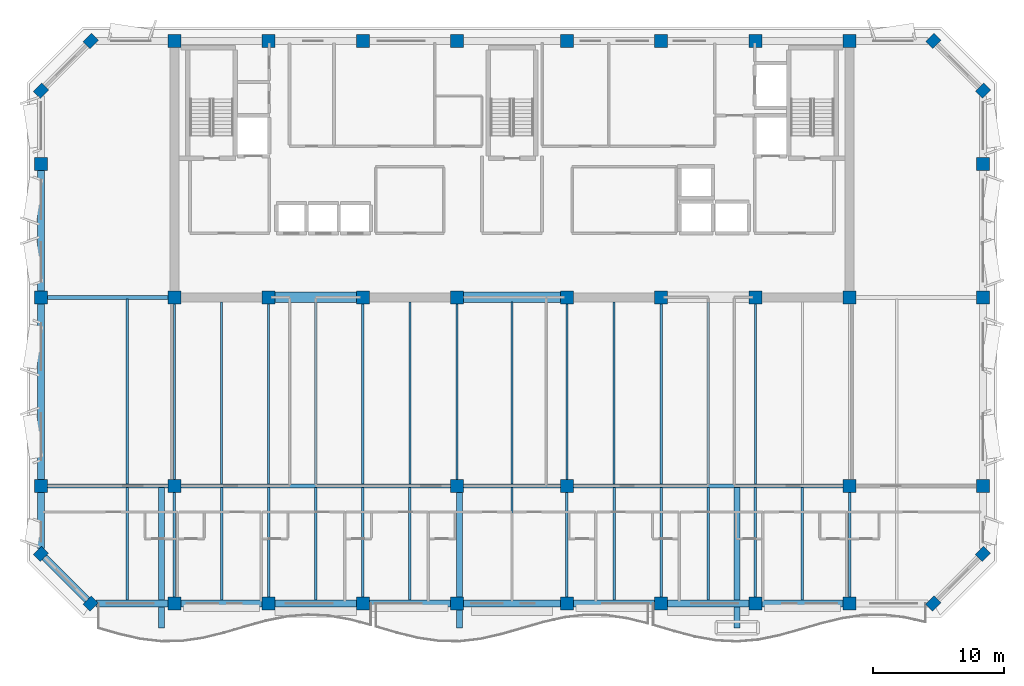
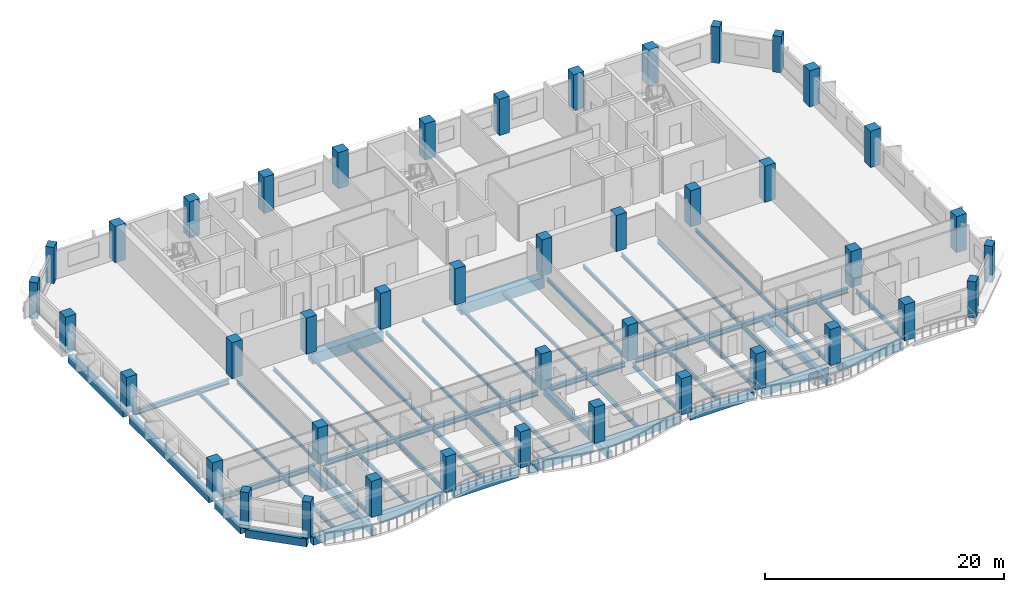
# One storey, part 1 of 11: 51 beams, 42 columns.
"""IFC4 building model written with IfcOpenShell, lengths in metres."""

import ifcopenshell
import ifcopenshell.guid

model = None  # the IFC model being written
_history = None  # IfcOwnerHistory: only IFC2X3 demands one
_inside = {}  # id of a spatial element -> (the spatial element, [elements in it])
_under = {}  # id of a project, library or spatial element -> (it, [spatial elements below it])
_declared = {}  # id of a project -> (the project, [libraries it declares])
_typed = {}  # id of a type object -> (the type object, [elements of that type])
_made_of = {}  # id of a material, layer set ... -> (it, [elements and type objects made of it])


def new_model(schema):
    """Start an empty IFC model of exactly this schema.

    Asked for "IFC4X3", IfcOpenShell would pick the latest addendum, in which some entities
    have other attributes; the version numbers below select the first issue.
    IFC2X3 requires an IfcOwnerHistory on every rooted entity: one is made here for all.
    """
    global model, _history
    if schema == "IFC4X3":
        model = ifcopenshell.file(schema_version=(4, 3, 0, 0))
    else:
        model = ifcopenshell.file(schema=schema)
    _inside.clear()
    _under.clear()
    _declared.clear()
    _typed.clear()
    _made_of.clear()
    _history = None
    if model.schema == "IFC2X3":
        org = make("IfcOrganization", Name="unknown")
        user = make(
            "IfcPersonAndOrganization",
            ThePerson=make("IfcPerson", FamilyName="unknown"),
            TheOrganization=org,
        )
        app = make(
            "IfcApplication",
            ApplicationDeveloper=org,
            Version="unknown",
            ApplicationFullName="unknown",
            ApplicationIdentifier="unknown",
        )
        _history = make(
            "IfcOwnerHistory",
            OwningUser=user,
            OwningApplication=app,
            ChangeAction="ADDED",
            CreationDate=0,
        )
    return model


def make(cls, **values):
    """One entity of the class cls with the attributes given. An attribute that is None is left unset."""
    return model.create_entity(
        cls, **{name: value for name, value in values.items() if value is not None}
    )


def rooted(cls, **values):
    """An entity with a GlobalId (a new one), such as an element, a storey or a relation."""
    return make(cls, GlobalId=ifcopenshell.guid.new(), OwnerHistory=_history, **values)


def si_unit(unit_type, name, prefix=None):
    """IfcSIUnit, for example si_unit("LENGTHUNIT", "METRE", prefix="MILLI")."""
    return make("IfcSIUnit", UnitType=unit_type, Prefix=prefix, Name=name)


def assignment(units):
    """IfcUnitAssignment: the units of a project."""
    return None if units is None else make("IfcUnitAssignment", Units=units)


def point(xyz):
    """IfcCartesianPoint."""
    return None if xyz is None else make("IfcCartesianPoint", Coordinates=xyz)


def direction(xyz):
    """IfcDirection."""
    return None if xyz is None else make("IfcDirection", DirectionRatios=xyz)


def frame(location, z_axis=None, x_axis=None):
    """IfcAxis2Placement3D, a coordinate frame: its origin and axes. An axis left out is left unset."""
    return make(
        "IfcAxis2Placement3D",
        Location=point(location),
        Axis=direction(z_axis),
        RefDirection=direction(x_axis),
    )


def frame_2d(location, x_axis=None):
    """IfcAxis2Placement2D, a coordinate frame in the plane: its origin and x axis."""
    return make(
        "IfcAxis2Placement2D", Location=point(location), RefDirection=direction(x_axis)
    )


def origin():
    """The frame at (0, 0, 0) with its axes left unset."""
    return frame((0.0, 0.0, 0.0))


def origin_2d():
    """The frame at (0, 0) in the plane with its x axis left unset."""
    return frame_2d((0.0, 0.0))


def place(relative_to, where):
    """IfcLocalPlacement: puts the frame where relative to a parent placement (None: the world)."""
    return make(
        "IfcLocalPlacement", PlacementRelTo=relative_to, RelativePlacement=where
    )


def context(
    kind, dimensions, precision=None, world=None, true_north=None, identifier=None
):
    """IfcGeometricRepresentationContext, for example the 3D "Model" context."""
    return make(
        "IfcGeometricRepresentationContext",
        ContextIdentifier=identifier,
        ContextType=kind,
        CoordinateSpaceDimension=dimensions,
        Precision=precision,
        WorldCoordinateSystem=world,
        TrueNorth=true_north,
    )


def subcontext(parent, identifier, kind, view, scale=None):
    """IfcGeometricRepresentationSubContext, for example "Body" below "Model"."""
    return make(
        "IfcGeometricRepresentationSubContext",
        ContextIdentifier=identifier,
        ContextType=kind,
        ParentContext=parent,
        TargetScale=scale,
        TargetView=view,
    )


def project(units=None, contexts=None):
    """IfcProject with its units and contexts."""
    return rooted(
        "IfcProject",
        Name="project",
        RepresentationContexts=contexts,
        UnitsInContext=assignment(units),
    )


def spatial(cls, under=None, at=None, **own):
    """A site, building, storey or space (cls), placed at a placement, below another one or the project."""
    s = rooted(cls, ObjectPlacement=at, **own)
    if under is not None:
        _under.setdefault(under.id(), (under, []))[1].append(s)
    return s


def profile(cls, at=None, kind="AREA", **sizes):
    """A parametric profile (cls). Its sizes go by their IFC names, for example OverallWidth=200.0."""
    return make(cls, ProfileType=kind, Position=at, **sizes)


def rectangle(**sizes):
    """IfcRectangleProfileDef."""
    return profile("IfcRectangleProfileDef", **sizes)


def i_section(**sizes):
    """IfcIShapeProfileDef."""
    return profile("IfcIShapeProfileDef", **sizes)


def extrude(swept, where, along, depth):
    """IfcExtrudedAreaSolid: the profile swept, set in the frame where, extruded along a direction by depth."""
    return make(
        "IfcExtrudedAreaSolid",
        SweptArea=swept,
        Position=where,
        ExtrudedDirection=direction(along),
        Depth=depth,
    )


def shape(context_of_items, identifier, shape_type, items):
    """IfcShapeRepresentation: the items that make up one representation, for example the "Body"."""
    return make(
        "IfcShapeRepresentation",
        ContextOfItems=context_of_items,
        RepresentationIdentifier=identifier,
        RepresentationType=shape_type,
        Items=items,
    )


def material(Name=None, Category=None):
    """IfcMaterial."""
    return make("IfcMaterial", Name=Name, Category=Category)


def material_profile(
    of_material, cross_section, Name=None, Category=None, Priority=None
):
    """IfcMaterialProfile: a cross section and its material."""
    return make(
        "IfcMaterialProfile",
        Name=Name,
        Material=of_material,
        Profile=cross_section,
        Priority=Priority,
        Category=Category,
    )


def profile_set(profiles, Name=None, composite=None):
    """IfcMaterialProfileSet."""
    return make(
        "IfcMaterialProfileSet",
        Name=Name,
        MaterialProfiles=profiles,
        CompositeProfile=composite,
    )


def made_of(thing, what):
    """Note that an element or type object is made of a material, layer set ...; save() writes the relation."""
    if what is not None:
        _made_of.setdefault(what.id(), (what, []))[1].append(thing)
    return thing


def type_object(cls, material=None, **own):
    """A type object (cls), such as IfcWallType, which elements share."""
    return made_of(rooted(cls, **own), material)


def element(
    cls,
    number,
    at=None,
    inside=None,
    cuts=None,
    type_object=None,
    material=None,
    context=None,
    identifier="Body",
    shape_type=None,
    held_by="IfcProductDefinitionShape",
    body=None,
    shapes=None,
    **own,
):
    """One element of the class cls, such as IfcWall. Its Tag is "e" and its number.

    at: its placement. inside: the storey or other place that contains it. cuts: it is an
    opening in that element (IfcRelVoidsElement). A single representation is given by context,
    identifier, shape_type and body (its items); several are given by shapes. held_by: the class
    of the entity that holds the representations. save() writes the other relations.
    """
    e = rooted(cls, Tag="e%d" % number, ObjectPlacement=at, **own)
    if body is not None:
        shapes = [shape(context, identifier, shape_type, body)]
    if shapes is not None:
        e.Representation = make(held_by, Representations=shapes)
    if inside is not None:
        _inside.setdefault(inside.id(), (inside, []))[1].append(e)
    if cuts is not None:
        rooted(
            "IfcRelVoidsElement", RelatingBuildingElement=cuts, RelatedOpeningElement=e
        )
    if type_object is not None:
        _typed.setdefault(type_object.id(), (type_object, []))[1].append(e)
    return made_of(e, material)


def aggregate(whole, parts):
    """IfcRelAggregates: a whole, such as a stair, and the parts it consists of."""
    return rooted("IfcRelAggregates", RelatingObject=whole, RelatedObjects=parts)


def save(model, path):
    """Write the relations noted so far, then the file.

    IfcRelAggregates (storeys below a building ...), IfcRelContainedInSpatialStructure (elements
    in a storey), IfcRelDefinesByType, IfcRelAssociatesMaterial and IfcRelDeclares: one each for
    every whole, place, type object, material and project.
    """
    for whole, parts in _under.values():
        aggregate(whole, parts)
    for where, things in _inside.values():
        rooted(
            "IfcRelContainedInSpatialStructure",
            RelatedElements=things,
            RelatingStructure=where,
        )
    for kind, things in _typed.values():
        rooted("IfcRelDefinesByType", RelatedObjects=things, RelatingType=kind)
    for what, things in _made_of.values():
        rooted("IfcRelAssociatesMaterial", RelatedObjects=things, RelatingMaterial=what)
    for by, libraries in _declared.values():
        rooted("IfcRelDeclares", RelatingContext=by, RelatedDefinitions=libraries)
    model.write(path)


model = new_model("IFC4")

# Units and contexts
model_context = context("Model", 3, precision=1e-05, world=origin(), true_north=direction((0.0, 1.0)))
body_context = subcontext(model_context, "Body", "Model", "MODEL_VIEW")
ifc_project = project(units=[si_unit("LENGTHUNIT", "METRE"), si_unit("AREAUNIT", "SQUARE_METRE"), si_unit("VOLUMEUNIT", "CUBIC_METRE"), si_unit("PLANEANGLEUNIT", "RADIAN"), si_unit("MASSUNIT", "GRAM", prefix="KILO")], contexts=[model_context])

# Site, building, storey
site_placement = place(None, origin())
site = spatial("IfcSite", under=ifc_project, at=site_placement, CompositionType="ELEMENT")
building_placement = place(site_placement, origin())
building = spatial("IfcBuilding", under=site, at=building_placement, Name="Kaelvorn Grand Hotel", CompositionType="ELEMENT")
storey_placement = place(building_placement, frame((0.0, 0.0, 241.0)))
storey = spatial("IfcBuildingStorey", under=building, at=storey_placement, Name="L59", CompositionType="ELEMENT", Elevation=241.0)

# Columns
ifc_material_1 = material(Name="Concrete C60/75", Category="concrete")
ifc_material_profile_1 = material_profile(ifc_material_1, rectangle(XDim=0.89990234375, YDim=0.75, at=origin_2d()), Name="RC PILASTER 900x750")
ifc_profile_set_1 = profile_set([ifc_material_profile_1], Name="Concrete C60/75")
column_type_1 = type_object("IfcColumnType", Name="COL-PIL-900x750-C60", PredefinedType="PILASTER", material=ifc_profile_set_1)
for number, where, z_axis, x_axis, name in (
    (1, (9.800048828125, 6.0, 0.0), (0.0, 0.0, 1.0), (0.707106781187, 0.707106781187, 0.0), "L59 Structural Column CH-01"),
    (2, (74.199951171875, 6.0, 0.0), (0.0, 0.0, 1.0), (0.707106781187, 0.707106781187, 0.0), "L59 Structural Column CH-02"),
    (3, (78.0, 9.800048828125, 0.0), (0.0, 0.0, 1.0), (0.707106781187, 0.707106781187, 0.0), "L59 Structural Column CH-03"),
    (4, (78.0, 45.199951171875, 0.0), (0.0, 0.0, 1.0), (0.707106781187, 0.707106781187, 0.0), "L59 Structural Column CH-04"),
    (5, (74.199951171875, 49.0, 0.0), (0.0, 0.0, 1.0), (0.707106781187, 0.707106781187, 0.0), "L59 Structural Column CH-05"),
    (6, (9.800048828125, 49.0, 0.0), (0.0, 0.0, 1.0), (0.707106781187, 0.707106781187, 0.0), "L59 Structural Column CH-06"),
    (7, (6.0, 45.199951171875, 0.0), (0.0, 0.0, 1.0), (0.707106781187, 0.707106781187, 0.0), "L59 Structural Column CH-07"),
    (8, (6.0, 9.800048828125, 0.0), (0.0, 0.0, 1.0), (0.707106781187, 0.707106781187, 0.0), "L59 Structural Column CH-08"),
):
    element("IfcColumn", number, at=place(storey_placement, frame(where, z_axis=z_axis, x_axis=x_axis)), inside=storey, type_object=column_type_1, Name=name, PredefinedType="PILASTER", context=body_context, shape_type="SweptSolid", body=[
        extrude(rectangle(XDim=0.89990234375, YDim=0.75, at=origin_2d()), origin(), (0.0, 0.0, 1.0), 3.7099609375),
    ])
ifc_material_2 = material(Name="Concrete C50/60", Category="concrete")
ifc_material_profile_2 = material_profile(ifc_material_2, rectangle(XDim=1.0, YDim=1.0, at=origin_2d()), Name="RC COL 1000x1000")
ifc_profile_set_2 = profile_set([ifc_material_profile_2], Name="Concrete C50/60")
column_type_2 = type_object("IfcColumnType", Name="COL-RC-1000-C50", PredefinedType="COLUMN", material=ifc_profile_set_2)
for number, where, z_axis, x_axis, name in (
    (9, (16.199951171875, 6.0, 0.0), (0.0, 0.0, 1.0), (1.0, 0.0, 0.0), "L59 Structural Column S-01"),
    (10, (23.39990234375, 6.0, 0.0), (0.0, 0.0, 1.0), (1.0, 0.0, 0.0), "L59 Structural Column S-02"),
    (11, (30.60009765625, 6.0, 0.0), (0.0, 0.0, 1.0), (1.0, 0.0, 0.0), "L59 Structural Column S-03"),
    (12, (37.800048828125, 6.0, 0.0), (0.0, 0.0, 1.0), (1.0, 0.0, 0.0), "L59 Structural Column S-04"),
    (13, (46.199951171875, 6.0, 0.0), (0.0, 0.0, 1.0), (1.0, 0.0, 0.0), "L59 Structural Column S-05"),
    (14, (53.39990234375, 6.0, 0.0), (0.0, 0.0, 1.0), (1.0, 0.0, 0.0), "L59 Structural Column S-06"),
    (15, (60.60009765625, 6.0, 0.0), (0.0, 0.0, 1.0), (1.0, 0.0, 0.0), "L59 Structural Column S-07"),
    (16, (67.800048828125, 6.0, 0.0), (0.0, 0.0, 1.0), (1.0, 0.0, 0.0), "L59 Structural Column S-08"),
    (17, (6.0, 15.0, 0.0), (0.0, 0.0, 1.0), (1.0, 0.0, 0.0), "L59 Structural Column W-01"),
    (18, (78.0, 15.0, 0.0), (0.0, 0.0, 1.0), (1.0, 0.0, 0.0), "L59 Structural Column E-01"),
    (19, (6.0, 29.39990234375, 0.0), (0.0, 0.0, 1.0), (1.0, 0.0, 0.0), "L59 Structural Column W-02"),
    (20, (78.0, 29.39990234375, 0.0), (0.0, 0.0, 1.0), (1.0, 0.0, 0.0), "L59 Structural Column E-02"),
    (21, (6.0, 39.60009765625, 0.0), (0.0, 0.0, 1.0), (1.0, 0.0, 0.0), "L59 Structural Column W-03"),
    (22, (78.0, 39.60009765625, 0.0), (0.0, 0.0, 1.0), (1.0, 0.0, 0.0), "L59 Structural Column E-03"),
    (23, (16.199951171875, 15.0, 0.0), (0.0, 0.0, 1.0), (1.0, 0.0, 0.0), "L59 Structural Column M-01"),
    (24, (37.800048828125, 15.0, 0.0), (0.0, 0.0, 1.0), (1.0, 0.0, 0.0), "L59 Structural Column M-02"),
    (25, (46.199951171875, 15.0, 0.0), (0.0, 0.0, 1.0), (1.0, 0.0, 0.0), "L59 Structural Column M-03"),
    (26, (67.800048828125, 15.0, 0.0), (0.0, 0.0, 1.0), (1.0, 0.0, 0.0), "L59 Structural Column M-04"),
    (27, (16.199951171875, 29.39990234375, 0.0), (0.0, 0.0, 1.0), (1.0, 0.0, 0.0), "L59 Structural Column CR1-01"),
    (28, (16.199951171875, 49.0, 0.0), (0.0, 0.0, 1.0), (1.0, 0.0, 0.0), "L59 Structural Column CR2-01"),
    (29, (23.39990234375, 29.39990234375, 0.0), (0.0, 0.0, 1.0), (1.0, 0.0, 0.0), "L59 Structural Column CR1-02"),
    (30, (23.39990234375, 49.0, 0.0), (0.0, 0.0, 1.0), (1.0, 0.0, 0.0), "L59 Structural Column CR2-02"),
    (31, (30.60009765625, 29.39990234375, 0.0), (0.0, 0.0, 1.0), (1.0, 0.0, 0.0), "L59 Structural Column CR1-03"),
    (32, (30.60009765625, 49.0, 0.0), (0.0, 0.0, 1.0), (1.0, 0.0, 0.0), "L59 Structural Column CR2-03"),
    (33, (37.800048828125, 29.39990234375, 0.0), (0.0, 0.0, 1.0), (1.0, 0.0, 0.0), "L59 Structural Column CR1-04"),
    (34, (37.800048828125, 49.0, 0.0), (0.0, 0.0, 1.0), (1.0, 0.0, 0.0), "L59 Structural Column CR2-04"),
    (35, (46.199951171875, 29.39990234375, 0.0), (0.0, 0.0, 1.0), (1.0, 0.0, 0.0), "L59 Structural Column CR1-05"),
    (36, (46.199951171875, 49.0, 0.0), (0.0, 0.0, 1.0), (1.0, 0.0, 0.0), "L59 Structural Column CR2-05"),
    (37, (53.39990234375, 29.39990234375, 0.0), (0.0, 0.0, 1.0), (1.0, 0.0, 0.0), "L59 Structural Column CR1-06"),
    (38, (53.39990234375, 49.0, 0.0), (0.0, 0.0, 1.0), (1.0, 0.0, 0.0), "L59 Structural Column CR2-06"),
    (39, (60.60009765625, 29.39990234375, 0.0), (0.0, 0.0, 1.0), (1.0, 0.0, 0.0), "L59 Structural Column CR1-07"),
    (40, (60.60009765625, 49.0, 0.0), (0.0, 0.0, 1.0), (1.0, 0.0, 0.0), "L59 Structural Column CR2-07"),
    (41, (67.800048828125, 29.39990234375, 0.0), (0.0, 0.0, 1.0), (1.0, 0.0, 0.0), "L59 Structural Column CR1-08"),
    (42, (67.800048828125, 49.0, 0.0), (0.0, 0.0, 1.0), (1.0, 0.0, 0.0), "L59 Structural Column CR2-08"),
):
    element("IfcColumn", number, at=place(storey_placement, frame(where, z_axis=z_axis, x_axis=x_axis)), inside=storey, type_object=column_type_2, Name=name, PredefinedType="COLUMN", context=body_context, shape_type="SweptSolid", body=[
        extrude(rectangle(XDim=1.0, YDim=1.0, at=origin_2d()), origin(), (0.0, 0.0, 1.0), 3.7099609375),
    ])

# Beams
ifc_material_3 = material(Name="Steel S355", Category="steel")
ifc_material_profile_3 = material_profile(ifc_material_3, i_section(OverallWidth=0.300048828125, OverallDepth=0.5, WebThickness=0.014404296875, FlangeThickness=0.028076171875, FilletRadius=0.027099609375, at=origin_2d()), Name="HEB 500")
ifc_profile_set_3 = profile_set([ifc_material_profile_3], Name="Steel S355")
beam_type_1 = type_object("IfcBeamType", Name="BM-G-HEB500-S355", PredefinedType="BEAM", material=ifc_profile_set_3)
beam_1_placement = place(storey_placement, frame((6.485107421875, 15.0, -0.489990234375), z_axis=(1.0, 0.0, 0.0), x_axis=(0.0, 1.0, 0.0)))
element("IfcBeam", 43, at=beam_1_placement, inside=storey, type_object=beam_type_1, Name="L59 Primary Spine Steel Girder G-15 01", PredefinedType="BEAM", context=body_context, shape_type="SweptSolid", body=[
    extrude(i_section(OverallWidth=0.300048828125, OverallDepth=0.5, WebThickness=0.014404296875, FlangeThickness=0.028076171875, FilletRadius=0.027099609375, at=origin_2d()), origin(), (0.0, 0.0, 1.0), 9.22998046875),
])
beam_2_placement = place(storey_placement, frame((16.68505859375, 15.0, -0.489990234375), z_axis=(1.0, 0.0, 0.0), x_axis=(0.0, 1.0, 0.0)))
element("IfcBeam", 44, at=beam_2_placement, inside=storey, type_object=beam_type_1, Name="L59 Primary Spine Steel Girder G-15 02", PredefinedType="BEAM", context=body_context, shape_type="SweptSolid", body=[
    extrude(i_section(OverallWidth=0.300048828125, OverallDepth=0.5, WebThickness=0.014404296875, FlangeThickness=0.028076171875, FilletRadius=0.027099609375, at=origin_2d()), origin(), (0.0, 0.0, 1.0), 20.6298828125),
])
beam_3_placement = place(storey_placement, frame((38.284912109375, 15.0, -0.489990234375), z_axis=(1.0, 0.0, 0.0), x_axis=(0.0, 1.0, 0.0)))
element("IfcBeam", 45, at=beam_3_placement, inside=storey, type_object=beam_type_1, Name="L59 Primary Spine Steel Girder G-15 03", PredefinedType="BEAM", context=body_context, shape_type="SweptSolid", body=[
    extrude(i_section(OverallWidth=0.300048828125, OverallDepth=0.5, WebThickness=0.014404296875, FlangeThickness=0.028076171875, FilletRadius=0.027099609375, at=origin_2d()), origin(), (0.0, 0.0, 1.0), 7.43017578125),
])
beam_4_placement = place(storey_placement, frame((46.68505859375, 15.0, -0.489990234375), z_axis=(1.0, 0.0, 0.0), x_axis=(0.0, 1.0, 0.0)))
element("IfcBeam", 46, at=beam_4_placement, inside=storey, type_object=beam_type_1, Name="L59 Primary Spine Steel Girder G-15 04", PredefinedType="BEAM", context=body_context, shape_type="SweptSolid", body=[
    extrude(i_section(OverallWidth=0.300048828125, OverallDepth=0.5, WebThickness=0.014404296875, FlangeThickness=0.028076171875, FilletRadius=0.027099609375, at=origin_2d()), origin(), (0.0, 0.0, 1.0), 20.6298828125),
])
beam_5_placement = place(storey_placement, frame((6.485107421875, 29.39990234375, -0.489990234375), z_axis=(1.0, 0.0, 0.0), x_axis=(0.0, 1.0, 0.0)))
element("IfcBeam", 47, at=beam_5_placement, inside=storey, type_object=beam_type_1, Name="L59 West Core Wing Steel Girder G-29W 01", PredefinedType="BEAM", context=body_context, shape_type="SweptSolid", body=[
    extrude(i_section(OverallWidth=0.300048828125, OverallDepth=0.5, WebThickness=0.014404296875, FlangeThickness=0.028076171875, FilletRadius=0.027099609375, at=origin_2d()), origin(), (0.0, 0.0, 1.0), 9.22998046875),
])
ifc_material_profile_4 = material_profile(ifc_material_3, i_section(OverallWidth=0.169921875, OverallDepth=0.360107421875, WebThickness=0.008056640625, FlangeThickness=0.0126953125, FilletRadius=0.01806640625, at=origin_2d()), Name="IPE 360")
ifc_profile_set_4 = profile_set([ifc_material_profile_4], Name="Steel S355")
beam_type_2 = type_object("IfcBeamType", Name="BM-J-IPE360-S355", PredefinedType="JOIST", material=ifc_profile_set_4)
beam_6_placement = place(storey_placement, frame((12.60009765625, 15.135009765625, -0.419921875), z_axis=(0.0, 1.0, 0.0), x_axis=(-1.0, 0.0, 0.0)))
element("IfcBeam", 48, at=beam_6_placement, inside=storey, type_object=beam_type_2, Name="L59 Composite Floor Joist JM-04", PredefinedType="JOIST", context=body_context, shape_type="SweptSolid", body=[
    extrude(i_section(OverallWidth=0.169921875, OverallDepth=0.360107421875, WebThickness=0.008056640625, FlangeThickness=0.0126953125, FilletRadius=0.01806640625, at=origin_2d()), origin(), (0.0, 0.0, 1.0), 14.1298828125),
])
beam_7_placement = place(storey_placement, frame((16.199951171875, 15.485107421875, -0.419921875), z_axis=(0.0, 1.0, 0.0), x_axis=(-1.0, 0.0, 0.0)))
element("IfcBeam", 49, at=beam_7_placement, inside=storey, type_object=beam_type_2, Name="L59 Composite Floor Joist JM-05", PredefinedType="JOIST", context=body_context, shape_type="SweptSolid", body=[
    extrude(i_section(OverallWidth=0.169921875, OverallDepth=0.360107421875, WebThickness=0.008056640625, FlangeThickness=0.0126953125, FilletRadius=0.01806640625, at=origin_2d()), origin(), (0.0, 0.0, 1.0), 13.429931640625),
])
beam_8_placement = place(storey_placement, frame((19.800048828125, 15.135009765625, -0.419921875), z_axis=(0.0, 1.0, 0.0), x_axis=(-1.0, 0.0, 0.0)))
element("IfcBeam", 50, at=beam_8_placement, inside=storey, type_object=beam_type_2, Name="L59 Composite Floor Joist JM-06", PredefinedType="JOIST", context=body_context, shape_type="SweptSolid", body=[
    extrude(i_section(OverallWidth=0.169921875, OverallDepth=0.360107421875, WebThickness=0.008056640625, FlangeThickness=0.0126953125, FilletRadius=0.01806640625, at=origin_2d()), origin(), (0.0, 0.0, 1.0), 13.925048828125),
])
beam_9_placement = place(storey_placement, frame((23.39990234375, 15.135009765625, -0.419921875), z_axis=(0.0, 1.0, 0.0), x_axis=(-1.0, 0.0, 0.0)))
element("IfcBeam", 51, at=beam_9_placement, inside=storey, type_object=beam_type_2, Name="L59 Composite Floor Joist JM-07", PredefinedType="JOIST", context=body_context, shape_type="SweptSolid", body=[
    extrude(i_section(OverallWidth=0.169921875, OverallDepth=0.360107421875, WebThickness=0.008056640625, FlangeThickness=0.0126953125, FilletRadius=0.01806640625, at=origin_2d()), origin(), (0.0, 0.0, 1.0), 13.780029296875),
])
beam_10_placement = place(storey_placement, frame((27.0, 15.135009765625, -0.419921875), z_axis=(0.0, 1.0, 0.0), x_axis=(-1.0, 0.0, 0.0)))
element("IfcBeam", 52, at=beam_10_placement, inside=storey, type_object=beam_type_2, Name="L59 Composite Floor Joist JM-08", PredefinedType="JOIST", context=body_context, shape_type="SweptSolid", body=[
    extrude(i_section(OverallWidth=0.169921875, OverallDepth=0.360107421875, WebThickness=0.008056640625, FlangeThickness=0.0126953125, FilletRadius=0.01806640625, at=origin_2d()), origin(), (0.0, 0.0, 1.0), 13.925048828125),
])
beam_11_placement = place(storey_placement, frame((30.60009765625, 15.135009765625, -0.419921875), z_axis=(0.0, 1.0, 0.0), x_axis=(-1.0, 0.0, 0.0)))
element("IfcBeam", 53, at=beam_11_placement, inside=storey, type_object=beam_type_2, Name="L59 Composite Floor Joist JM-09", PredefinedType="JOIST", context=body_context, shape_type="SweptSolid", body=[
    extrude(i_section(OverallWidth=0.169921875, OverallDepth=0.360107421875, WebThickness=0.008056640625, FlangeThickness=0.0126953125, FilletRadius=0.01806640625, at=origin_2d()), origin(), (0.0, 0.0, 1.0), 13.780029296875),
])
beam_12_placement = place(storey_placement, frame((34.199951171875, 15.135009765625, -0.419921875), z_axis=(0.0, 1.0, 0.0), x_axis=(-1.0, 0.0, 0.0)))
element("IfcBeam", 54, at=beam_12_placement, inside=storey, type_object=beam_type_2, Name="L59 Composite Floor Joist JM-10", PredefinedType="JOIST", context=body_context, shape_type="SweptSolid", body=[
    extrude(i_section(OverallWidth=0.169921875, OverallDepth=0.360107421875, WebThickness=0.008056640625, FlangeThickness=0.0126953125, FilletRadius=0.01806640625, at=origin_2d()), origin(), (0.0, 0.0, 1.0), 13.925048828125),
])
beam_13_placement = place(storey_placement, frame((37.800048828125, 15.485107421875, -0.419921875), z_axis=(0.0, 1.0, 0.0), x_axis=(-1.0, 0.0, 0.0)))
element("IfcBeam", 55, at=beam_13_placement, inside=storey, type_object=beam_type_2, Name="L59 Composite Floor Joist JM-11", PredefinedType="JOIST", context=body_context, shape_type="SweptSolid", body=[
    extrude(i_section(OverallWidth=0.169921875, OverallDepth=0.360107421875, WebThickness=0.008056640625, FlangeThickness=0.0126953125, FilletRadius=0.01806640625, at=origin_2d()), origin(), (0.0, 0.0, 1.0), 13.429931640625),
])
beam_14_placement = place(storey_placement, frame((42.0, 15.135009765625, -0.419921875), z_axis=(0.0, 1.0, 0.0), x_axis=(-1.0, 0.0, 0.0)))
element("IfcBeam", 56, at=beam_14_placement, inside=storey, type_object=beam_type_2, Name="L59 Composite Floor Joist JM-12", PredefinedType="JOIST", context=body_context, shape_type="SweptSolid", body=[
    extrude(i_section(OverallWidth=0.169921875, OverallDepth=0.360107421875, WebThickness=0.008056640625, FlangeThickness=0.0126953125, FilletRadius=0.01806640625, at=origin_2d()), origin(), (0.0, 0.0, 1.0), 13.925048828125),
])
beam_15_placement = place(storey_placement, frame((46.199951171875, 15.485107421875, -0.419921875), z_axis=(0.0, 1.0, 0.0), x_axis=(-1.0, 0.0, 0.0)))
element("IfcBeam", 57, at=beam_15_placement, inside=storey, type_object=beam_type_2, Name="L59 Composite Floor Joist JM-13", PredefinedType="JOIST", context=body_context, shape_type="SweptSolid", body=[
    extrude(i_section(OverallWidth=0.169921875, OverallDepth=0.360107421875, WebThickness=0.008056640625, FlangeThickness=0.0126953125, FilletRadius=0.01806640625, at=origin_2d()), origin(), (0.0, 0.0, 1.0), 13.429931640625),
])
beam_16_placement = place(storey_placement, frame((49.800048828125, 15.135009765625, -0.419921875), z_axis=(0.0, 1.0, 0.0), x_axis=(-1.0, 0.0, 0.0)))
element("IfcBeam", 58, at=beam_16_placement, inside=storey, type_object=beam_type_2, Name="L59 Composite Floor Joist JM-14", PredefinedType="JOIST", context=body_context, shape_type="SweptSolid", body=[
    extrude(i_section(OverallWidth=0.169921875, OverallDepth=0.360107421875, WebThickness=0.008056640625, FlangeThickness=0.0126953125, FilletRadius=0.01806640625, at=origin_2d()), origin(), (0.0, 0.0, 1.0), 13.925048828125),
])
beam_17_placement = place(storey_placement, frame((53.39990234375, 15.135009765625, -0.419921875), z_axis=(0.0, 1.0, 0.0), x_axis=(-1.0, 0.0, 0.0)))
element("IfcBeam", 59, at=beam_17_placement, inside=storey, type_object=beam_type_2, Name="L59 Composite Floor Joist JM-15", PredefinedType="JOIST", context=body_context, shape_type="SweptSolid", body=[
    extrude(i_section(OverallWidth=0.169921875, OverallDepth=0.360107421875, WebThickness=0.008056640625, FlangeThickness=0.0126953125, FilletRadius=0.01806640625, at=origin_2d()), origin(), (0.0, 0.0, 1.0), 13.780029296875),
])
beam_18_placement = place(storey_placement, frame((57.0, 15.135009765625, -0.419921875), z_axis=(0.0, 1.0, 0.0), x_axis=(-1.0, 0.0, 0.0)))
element("IfcBeam", 60, at=beam_18_placement, inside=storey, type_object=beam_type_2, Name="L59 Composite Floor Joist JM-16", PredefinedType="JOIST", context=body_context, shape_type="SweptSolid", body=[
    extrude(i_section(OverallWidth=0.169921875, OverallDepth=0.360107421875, WebThickness=0.008056640625, FlangeThickness=0.0126953125, FilletRadius=0.01806640625, at=origin_2d()), origin(), (0.0, 0.0, 1.0), 13.925048828125),
])
beam_19_placement = place(storey_placement, frame((60.60009765625, 15.135009765625, -0.419921875), z_axis=(0.0, 1.0, 0.0), x_axis=(-1.0, 0.0, 0.0)))
element("IfcBeam", 61, at=beam_19_placement, inside=storey, type_object=beam_type_2, Name="L59 Composite Floor Joist JM-17", PredefinedType="JOIST", context=body_context, shape_type="SweptSolid", body=[
    extrude(i_section(OverallWidth=0.169921875, OverallDepth=0.360107421875, WebThickness=0.008056640625, FlangeThickness=0.0126953125, FilletRadius=0.01806640625, at=origin_2d()), origin(), (0.0, 0.0, 1.0), 13.780029296875),
])
ifc_material_profile_5 = material_profile(ifc_material_3, i_section(OverallWidth=0.18994140625, OverallDepth=0.449951171875, WebThickness=0.009521484375, FlangeThickness=0.0146484375, FilletRadius=0.02099609375, at=origin_2d()), Name="IPE 450")
ifc_profile_set_5 = profile_set([ifc_material_profile_5], Name="Steel S355")
beam_type_3 = type_object("IfcBeamType", Name="BM-J-IPE450-S355", PredefinedType="JOIST", material=ifc_profile_set_5)
beam_20_placement = place(storey_placement, frame((12.60009765625, 6.260009765625, -0.465087890625), z_axis=(0.0, 1.0, 0.0), x_axis=(-1.0, 0.0, 0.0)))
element("IfcBeam", 62, at=beam_20_placement, inside=storey, type_object=beam_type_3, Name="L59 Composite Floor Joist JS-04", PredefinedType="JOIST", context=body_context, shape_type="SweptSolid", body=[
    extrude(i_section(OverallWidth=0.18994140625, OverallDepth=0.449951171875, WebThickness=0.009521484375, FlangeThickness=0.0146484375, FilletRadius=0.02099609375, at=origin_2d()), origin(), (0.0, 0.0, 1.0), 8.60498046875),
])
beam_21_placement = place(storey_placement, frame((16.199951171875, 6.485107421875, -0.465087890625), z_axis=(0.0, 1.0, 0.0), x_axis=(-1.0, 0.0, 0.0)))
element("IfcBeam", 63, at=beam_21_placement, inside=storey, type_object=beam_type_3, Name="L59 Composite Floor Joist JS-05", PredefinedType="JOIST", context=body_context, shape_type="SweptSolid", body=[
    extrude(i_section(OverallWidth=0.18994140625, OverallDepth=0.449951171875, WebThickness=0.009521484375, FlangeThickness=0.0146484375, FilletRadius=0.02099609375, at=origin_2d()), origin(), (0.0, 0.0, 1.0), 8.02978515625),
])
beam_22_placement = place(storey_placement, frame((19.800048828125, 6.260009765625, -0.465087890625), z_axis=(0.0, 1.0, 0.0), x_axis=(-1.0, 0.0, 0.0)))
element("IfcBeam", 64, at=beam_22_placement, inside=storey, type_object=beam_type_3, Name="L59 Composite Floor Joist JS-06", PredefinedType="JOIST", context=body_context, shape_type="SweptSolid", body=[
    extrude(i_section(OverallWidth=0.18994140625, OverallDepth=0.449951171875, WebThickness=0.009521484375, FlangeThickness=0.0146484375, FilletRadius=0.02099609375, at=origin_2d()), origin(), (0.0, 0.0, 1.0), 8.60498046875),
])
beam_23_placement = place(storey_placement, frame((23.39990234375, 6.485107421875, -0.465087890625), z_axis=(0.0, 1.0, 0.0), x_axis=(-1.0, 0.0, 0.0)))
element("IfcBeam", 65, at=beam_23_placement, inside=storey, type_object=beam_type_3, Name="L59 Composite Floor Joist JS-07", PredefinedType="JOIST", context=body_context, shape_type="SweptSolid", body=[
    extrude(i_section(OverallWidth=0.18994140625, OverallDepth=0.449951171875, WebThickness=0.009521484375, FlangeThickness=0.0146484375, FilletRadius=0.02099609375, at=origin_2d()), origin(), (0.0, 0.0, 1.0), 8.3798828125),
])
beam_24_placement = place(storey_placement, frame((27.0, 6.260009765625, -0.465087890625), z_axis=(0.0, 1.0, 0.0), x_axis=(-1.0, 0.0, 0.0)))
element("IfcBeam", 66, at=beam_24_placement, inside=storey, type_object=beam_type_3, Name="L59 Composite Floor Joist JS-08", PredefinedType="JOIST", context=body_context, shape_type="SweptSolid", body=[
    extrude(i_section(OverallWidth=0.18994140625, OverallDepth=0.449951171875, WebThickness=0.009521484375, FlangeThickness=0.0146484375, FilletRadius=0.02099609375, at=origin_2d()), origin(), (0.0, 0.0, 1.0), 8.60498046875),
])
beam_25_placement = place(storey_placement, frame((30.60009765625, 6.485107421875, -0.465087890625), z_axis=(0.0, 1.0, 0.0), x_axis=(-1.0, 0.0, 0.0)))
element("IfcBeam", 67, at=beam_25_placement, inside=storey, type_object=beam_type_3, Name="L59 Composite Floor Joist JS-09", PredefinedType="JOIST", context=body_context, shape_type="SweptSolid", body=[
    extrude(i_section(OverallWidth=0.18994140625, OverallDepth=0.449951171875, WebThickness=0.009521484375, FlangeThickness=0.0146484375, FilletRadius=0.02099609375, at=origin_2d()), origin(), (0.0, 0.0, 1.0), 8.3798828125),
])
for number, where, z_axis, x_axis, name in (
    (68, (34.199951171875, 6.260009765625, -0.465087890625), (0.0, 1.0, 0.0), (-1.0, 0.0, 0.0), "L59 Composite Floor Joist JS-10"),
    (69, (42.0, 6.260009765625, -0.465087890625), (0.0, 1.0, 0.0), (-1.0, 0.0, 0.0), "L59 Composite Floor Joist JS-12"),
):
    element("IfcBeam", number, at=place(storey_placement, frame(where, z_axis=z_axis, x_axis=x_axis)), inside=storey, type_object=beam_type_3, Name=name, PredefinedType="JOIST", context=body_context, shape_type="SweptSolid", body=[
        extrude(i_section(OverallWidth=0.18994140625, OverallDepth=0.449951171875, WebThickness=0.009521484375, FlangeThickness=0.0146484375, FilletRadius=0.02099609375, at=origin_2d()), origin(), (0.0, 0.0, 1.0), 8.60498046875),
    ])
beam_26_placement = place(storey_placement, frame((46.199951171875, 6.485107421875, -0.465087890625), z_axis=(0.0, 1.0, 0.0), x_axis=(-1.0, 0.0, 0.0)))
element("IfcBeam", 70, at=beam_26_placement, inside=storey, type_object=beam_type_3, Name="L59 Composite Floor Joist JS-13", PredefinedType="JOIST", context=body_context, shape_type="SweptSolid", body=[
    extrude(i_section(OverallWidth=0.18994140625, OverallDepth=0.449951171875, WebThickness=0.009521484375, FlangeThickness=0.0146484375, FilletRadius=0.02099609375, at=origin_2d()), origin(), (0.0, 0.0, 1.0), 8.02978515625),
])
beam_27_placement = place(storey_placement, frame((49.800048828125, 6.260009765625, -0.465087890625), z_axis=(0.0, 1.0, 0.0), x_axis=(-1.0, 0.0, 0.0)))
element("IfcBeam", 71, at=beam_27_placement, inside=storey, type_object=beam_type_3, Name="L59 Composite Floor Joist JS-14", PredefinedType="JOIST", context=body_context, shape_type="SweptSolid", body=[
    extrude(i_section(OverallWidth=0.18994140625, OverallDepth=0.449951171875, WebThickness=0.009521484375, FlangeThickness=0.0146484375, FilletRadius=0.02099609375, at=origin_2d()), origin(), (0.0, 0.0, 1.0), 8.60498046875),
])
beam_28_placement = place(storey_placement, frame((53.39990234375, 6.485107421875, -0.465087890625), z_axis=(0.0, 1.0, 0.0), x_axis=(-1.0, 0.0, 0.0)))
element("IfcBeam", 72, at=beam_28_placement, inside=storey, type_object=beam_type_3, Name="L59 Composite Floor Joist JS-15", PredefinedType="JOIST", context=body_context, shape_type="SweptSolid", body=[
    extrude(i_section(OverallWidth=0.18994140625, OverallDepth=0.449951171875, WebThickness=0.009521484375, FlangeThickness=0.0146484375, FilletRadius=0.02099609375, at=origin_2d()), origin(), (0.0, 0.0, 1.0), 8.3798828125),
])
beam_29_placement = place(storey_placement, frame((57.0, 6.260009765625, -0.465087890625), z_axis=(0.0, 1.0, 0.0), x_axis=(-1.0, 0.0, 0.0)))
element("IfcBeam", 73, at=beam_29_placement, inside=storey, type_object=beam_type_3, Name="L59 Composite Floor Joist JS-16", PredefinedType="JOIST", context=body_context, shape_type="SweptSolid", body=[
    extrude(i_section(OverallWidth=0.18994140625, OverallDepth=0.449951171875, WebThickness=0.009521484375, FlangeThickness=0.0146484375, FilletRadius=0.02099609375, at=origin_2d()), origin(), (0.0, 0.0, 1.0), 8.60498046875),
])
beam_30_placement = place(storey_placement, frame((60.60009765625, 6.485107421875, -0.465087890625), z_axis=(0.0, 1.0, 0.0), x_axis=(-1.0, 0.0, 0.0)))
element("IfcBeam", 74, at=beam_30_placement, inside=storey, type_object=beam_type_3, Name="L59 Composite Floor Joist JS-17", PredefinedType="JOIST", context=body_context, shape_type="SweptSolid", body=[
    extrude(i_section(OverallWidth=0.18994140625, OverallDepth=0.449951171875, WebThickness=0.009521484375, FlangeThickness=0.0146484375, FilletRadius=0.02099609375, at=origin_2d()), origin(), (0.0, 0.0, 1.0), 8.3798828125),
])
beam_31_placement = place(storey_placement, frame((64.199951171875, 6.260009765625, -0.465087890625), z_axis=(0.0, 1.0, 0.0), x_axis=(-1.0, 0.0, 0.0)))
element("IfcBeam", 75, at=beam_31_placement, inside=storey, type_object=beam_type_3, Name="L59 Composite Floor Joist JS-18", PredefinedType="JOIST", context=body_context, shape_type="SweptSolid", body=[
    extrude(i_section(OverallWidth=0.18994140625, OverallDepth=0.449951171875, WebThickness=0.009521484375, FlangeThickness=0.0146484375, FilletRadius=0.02099609375, at=origin_2d()), origin(), (0.0, 0.0, 1.0), 8.60498046875),
])
beam_32_placement = place(storey_placement, frame((67.800048828125, 6.485107421875, -0.465087890625), z_axis=(0.0, 1.0, 0.0), x_axis=(-1.0, 0.0, 0.0)))
element("IfcBeam", 76, at=beam_32_placement, inside=storey, type_object=beam_type_3, Name="L59 Composite Floor Joist JS-19", PredefinedType="JOIST", context=body_context, shape_type="SweptSolid", body=[
    extrude(i_section(OverallWidth=0.18994140625, OverallDepth=0.449951171875, WebThickness=0.009521484375, FlangeThickness=0.0146484375, FilletRadius=0.02099609375, at=origin_2d()), origin(), (0.0, 0.0, 1.0), 8.02978515625),
])
ifc_material_profile_6 = material_profile(ifc_material_1, rectangle(XDim=0.800048828125, YDim=1.10009765625, at=origin_2d()), Name="RC LINTEL 800x1100")
ifc_profile_set_6 = profile_set([ifc_material_profile_6], Name="Concrete C60/75")
beam_type_4 = type_object("IfcBeamType", Name="BM-LIN-800x1100-C60", PredefinedType="LINTEL", material=ifc_profile_set_6)
beam_33_placement = place(storey_placement, frame((23.580078125, 29.39990234375, -0.7900390625), z_axis=(1.0, 0.0, 0.0), x_axis=(0.0, 1.0, 0.0)))
element("IfcBeam", 77, at=beam_33_placement, inside=storey, type_object=beam_type_4, Name="L59 Rear-Core Coupling Lintel Beam CB1-01", PredefinedType="LINTEL", context=body_context, shape_type="SweptSolid", body=[
    extrude(rectangle(XDim=0.800048828125, YDim=1.10009765625, at=origin_2d()), origin(), (0.0, 0.0, 1.0), 6.83984375),
])
beam_34_placement = place(storey_placement, frame((37.97998046875, 29.39990234375, -0.7900390625), z_axis=(1.0, 0.0, 0.0), x_axis=(0.0, 1.0, 0.0)))
element("IfcBeam", 78, at=beam_34_placement, inside=storey, type_object=beam_type_4, Name="L59 Rear-Core Coupling Lintel Beam CB1-02", PredefinedType="LINTEL", context=body_context, shape_type="SweptSolid", body=[
    extrude(rectangle(XDim=0.800048828125, YDim=1.10009765625, at=origin_2d()), origin(), (0.0, 0.0, 1.0), 8.0400390625),
])
ifc_material_4 = material(Name="Concrete C40/50", Category="concrete")
ifc_material_profile_7 = material_profile(ifc_material_4, rectangle(XDim=0.449951171875, YDim=0.64990234375, at=origin_2d()), Name="RC RIB 450x650")
ifc_profile_set_7 = profile_set([ifc_material_profile_7], Name="Concrete C40/50")
beam_type_5 = type_object("IfcBeamType", Name="BM-RIB-450x650-C40", PredefinedType="SPANDREL", material=ifc_profile_set_7)
for number, where, z_axis, x_axis, name in (
    (79, (15.199951171875, 4.14990234375, -0.544921875), (0.0, 1.0, 0.0), (-1.0, 0.0, 0.0), "L59 Cantilevered Balcony Back-Span Rib RB1-1"),
    (80, (38.0, 4.14990234375, -0.544921875), (0.0, 1.0, 0.0), (-1.0, 0.0, 0.0), "L59 Cantilevered Balcony Back-Span Rib RB1-2"),
    (81, (59.199951171875, 4.14990234375, -0.544921875), (0.0, 1.0, 0.0), (-1.0, 0.0, 0.0), "L59 Cantilevered Balcony Back-Span Rib RB1-3"),
):
    element("IfcBeam", number, at=place(storey_placement, frame(where, z_axis=z_axis, x_axis=x_axis)), inside=storey, type_object=beam_type_5, Name=name, PredefinedType="SPANDREL", context=body_context, shape_type="SweptSolid", body=[
        extrude(rectangle(XDim=0.449951171875, YDim=0.64990234375, at=origin_2d()), origin(), (0.0, 0.0, 1.0), 10.715087890625),
    ])
ifc_material_profile_8 = material_profile(ifc_material_2, rectangle(XDim=0.550048828125, YDim=0.800048828125, at=origin_2d()), Name="RC SPANDREL 550x800")
ifc_profile_set_8 = profile_set([ifc_material_profile_8], Name="Concrete C50/60")
beam_type_6 = type_object("IfcBeamType", Name="BM-SP-550x800-C50", PredefinedType="SPANDREL", material=ifc_profile_set_8)
beam_35_placement = place(storey_placement, frame((10.205078125, 6.0, -0.639892578125), z_axis=(1.0, 0.0, 0.0), x_axis=(0.0, 1.0, 0.0)))
element("IfcBeam", 82, at=beam_35_placement, inside=storey, type_object=beam_type_6, Name="L59 South Perimeter Spandrel 01", PredefinedType="SPANDREL", context=body_context, shape_type="SweptSolid", body=[
    extrude(rectangle(XDim=0.550048828125, YDim=0.800048828125, at=origin_2d()), origin(), (0.0, 0.0, 1.0), 5.510009765625),
])
for number, where, z_axis, x_axis, name in (
    (83, (16.68505859375, 6.0, -0.639892578125), (1.0, 0.0, 0.0), (0.0, 1.0, 0.0), "L59 South Perimeter Spandrel 02"),
    (84, (23.885009765625, 6.0, -0.639892578125), (1.0, 0.0, 0.0), (0.0, 1.0, 0.0), "L59 South Perimeter Spandrel 03"),
    (85, (31.0849609375, 6.0, -0.639892578125), (1.0, 0.0, 0.0), (0.0, 1.0, 0.0), "L59 South Perimeter Spandrel 04"),
):
    element("IfcBeam", number, at=place(storey_placement, frame(where, z_axis=z_axis, x_axis=x_axis)), inside=storey, type_object=beam_type_6, Name=name, PredefinedType="SPANDREL", context=body_context, shape_type="SweptSolid", body=[
        extrude(rectangle(XDim=0.550048828125, YDim=0.800048828125, at=origin_2d()), origin(), (0.0, 0.0, 1.0), 6.22998046875),
    ])
beam_36_placement = place(storey_placement, frame((38.284912109375, 6.0, -0.639892578125), z_axis=(1.0, 0.0, 0.0), x_axis=(0.0, 1.0, 0.0)))
element("IfcBeam", 86, at=beam_36_placement, inside=storey, type_object=beam_type_6, Name="L59 South Perimeter Spandrel 05", PredefinedType="SPANDREL", context=body_context, shape_type="SweptSolid", body=[
    extrude(rectangle(XDim=0.550048828125, YDim=0.800048828125, at=origin_2d()), origin(), (0.0, 0.0, 1.0), 7.43017578125),
])
for number, where, z_axis, x_axis, name in (
    (87, (46.68505859375, 6.0, -0.639892578125), (1.0, 0.0, 0.0), (0.0, 1.0, 0.0), "L59 South Perimeter Spandrel 06"),
    (88, (53.885009765625, 6.0, -0.639892578125), (1.0, 0.0, 0.0), (0.0, 1.0, 0.0), "L59 South Perimeter Spandrel 07"),
    (89, (61.0849609375, 6.0, -0.639892578125), (1.0, 0.0, 0.0), (0.0, 1.0, 0.0), "L59 South Perimeter Spandrel 08"),
):
    element("IfcBeam", number, at=place(storey_placement, frame(where, z_axis=z_axis, x_axis=x_axis)), inside=storey, type_object=beam_type_6, Name=name, PredefinedType="SPANDREL", context=body_context, shape_type="SweptSolid", body=[
        extrude(rectangle(XDim=0.550048828125, YDim=0.800048828125, at=origin_2d()), origin(), (0.0, 0.0, 1.0), 6.22998046875),
    ])
beam_37_placement = place(storey_placement, frame((6.0, 10.205078125, -0.639892578125), z_axis=(0.0, 1.0, 0.0), x_axis=(-1.0, 0.0, 0.0)))
element("IfcBeam", 90, at=beam_37_placement, inside=storey, type_object=beam_type_6, Name="L59 West Perimeter Spandrel 01", PredefinedType="SPANDREL", context=body_context, shape_type="SweptSolid", body=[
    extrude(rectangle(XDim=0.550048828125, YDim=0.800048828125, at=origin_2d()), origin(), (0.0, 0.0, 1.0), 4.309814453125),
])
beam_38_placement = place(storey_placement, frame((6.0, 15.485107421875, -0.639892578125), z_axis=(0.0, 1.0, 0.0), x_axis=(-1.0, 0.0, 0.0)))
element("IfcBeam", 91, at=beam_38_placement, inside=storey, type_object=beam_type_6, Name="L59 West Perimeter Spandrel 02", PredefinedType="SPANDREL", context=body_context, shape_type="SweptSolid", body=[
    extrude(rectangle(XDim=0.550048828125, YDim=0.800048828125, at=origin_2d()), origin(), (0.0, 0.0, 1.0), 13.429931640625),
])
beam_39_placement = place(storey_placement, frame((6.0, 29.885009765625, -0.639892578125), z_axis=(0.0, 1.0, 0.0), x_axis=(-1.0, 0.0, 0.0)))
element("IfcBeam", 92, at=beam_39_placement, inside=storey, type_object=beam_type_6, Name="L59 West Perimeter Spandrel 03", PredefinedType="SPANDREL", context=body_context, shape_type="SweptSolid", body=[
    extrude(rectangle(XDim=0.550048828125, YDim=0.800048828125, at=origin_2d()), origin(), (0.0, 0.0, 1.0), 9.22998046875),
])
beam_40_placement = place(storey_placement, frame((6.0, 9.800048828125, -0.639892578125), z_axis=(0.707106781187, -0.707106781187, 0.0), x_axis=(0.707106781187, 0.707106781187, 0.0)))
element("IfcBeam", 93, at=beam_40_placement, inside=storey, type_object=beam_type_6, Name="L59 Chamfer Spandrel Beam 4", PredefinedType="SPANDREL", context=body_context, shape_type="SweptSolid", body=[
    extrude(rectangle(XDim=0.550048828125, YDim=0.800048828125, at=origin_2d()), origin(), (0.0, 0.0, 1.0), 5.3740234375),
])

save(model, "model.ifc")
